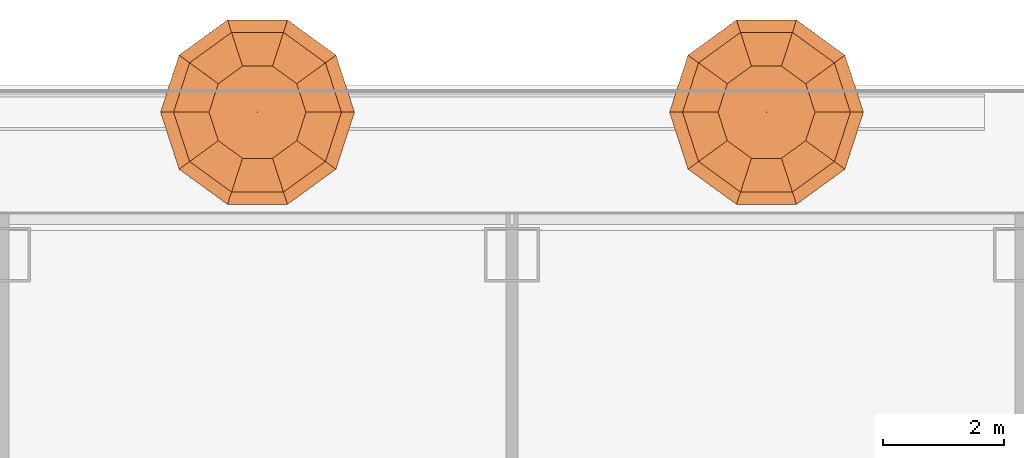
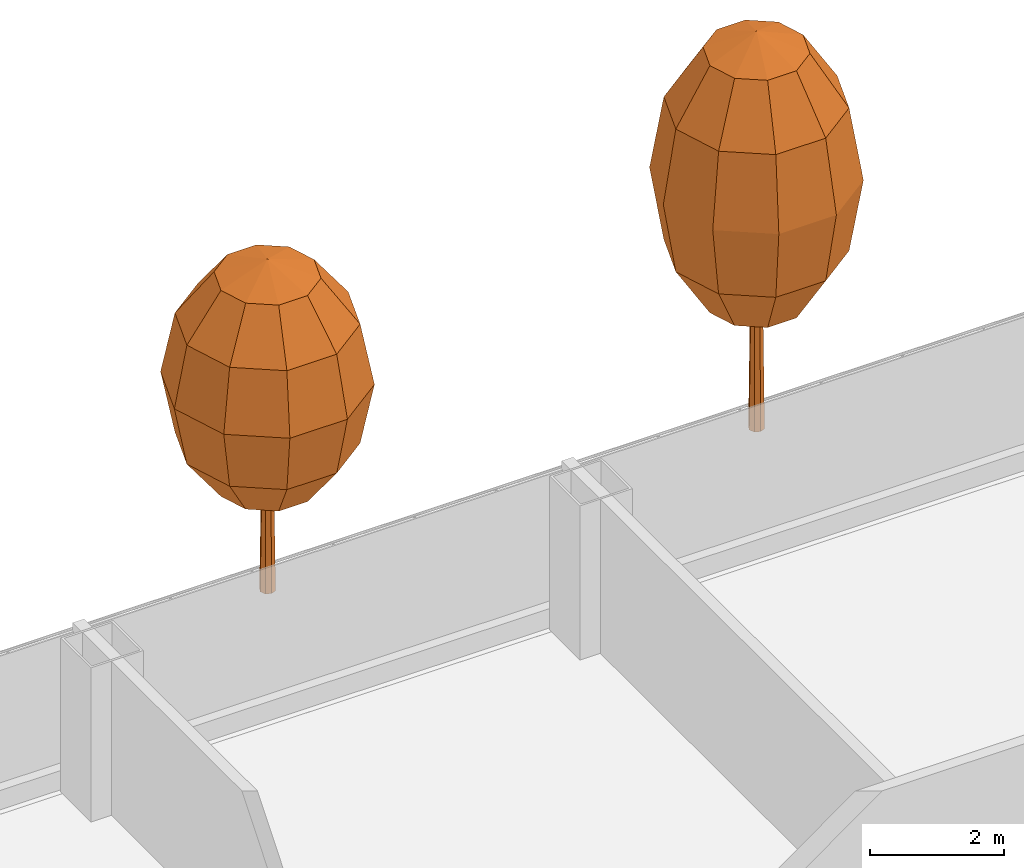
# One storey, part 37 of 37: 2 geographic elements.
"""IFC4 building model written with IfcOpenShell, lengths in metres."""

from ifc_helpers import new_model, si_unit, direction, frame, origin, place, context, subcontext, project, spatial, triangles, material, type_object, element, save


model = new_model("IFC4")

# Units and contexts
model_context = context("Model", 3, precision=1e-05, world=origin(), true_north=direction((0.0, 1.0)))
body_context = subcontext(model_context, "Body", "Model", "MODEL_VIEW")
ifc_project = project(units=[si_unit("LENGTHUNIT", "METRE"), si_unit("AREAUNIT", "SQUARE_METRE"), si_unit("VOLUMEUNIT", "CUBIC_METRE"), si_unit("PLANEANGLEUNIT", "RADIAN"), si_unit("MASSUNIT", "GRAM", prefix="KILO")], contexts=[model_context])

# Site, building, storey
site_placement = place(None, origin())
site = spatial("IfcSite", under=ifc_project, at=site_placement, CompositionType="ELEMENT")
building_placement = place(site_placement, origin())
building = spatial("IfcBuilding", under=site, at=building_placement, Name="Hakoniwa Tower and Hamabe Station Hall", CompositionType="ELEMENT")
storey_placement = place(building_placement, frame((0.0, 0.0, 39.0)))
storey = spatial("IfcBuildingStorey", under=building, at=storey_placement, Name="L10", CompositionType="ELEMENT", Elevation=39.0)

# Geographic elements
ifc_material_1 = material(Name="Tree foliage")
geographic_element_type_1 = type_object("IfcGeographicElementType", Name="Japanese maple 7.2 m", PredefinedType="USERDEFINED", material=ifc_material_1)
geographic_element_1_placement = place(storey_placement, frame((37.800048828125, 21.949951171875, 0.89990234375)))
element("IfcGeographicElement", 1, at=geographic_element_1_placement, inside=storey, type_object=geographic_element_type_1, Name="Japanese maple 7-2 m", ObjectType="TREE", PredefinedType="USERDEFINED", context=body_context, shape_type="Tessellation", body=[
    triangles([(0.125, 0.0, 0.0), (0.08837890625, 0.08837890625, 0.0), (0.0, 0.125, 0.0), (-0.08837890625, 0.08837890625, 0.0), (-0.125, 0.0, 0.0), (-0.08837890625, -0.08837890625, 0.0), (0.0, -0.125, 0.0), (0.08837890625, -0.08837890625, 0.0), (0.074951171875, 0.0, 4.348876953125), (0.052978515625, 0.052978515625, 4.348876953125), (0.0, 0.074951171875, 4.348876953125), (-0.052978515625, 0.052978515625, 4.348876953125), (-0.074951171875, 0.0, 4.348876953125), (-0.052978515625, -0.052978515625, 4.348876953125), (0.0, -0.074951171875, 4.348876953125), (0.052978515625, -0.052978515625, 4.348876953125), (0.0, 0.0, 0.0), (0.0, 0.0, 4.348876953125)], [[1, 2, 10], [1, 10, 9], [17, 2, 1], [18, 9, 10], [2, 3, 11], [2, 11, 10], [17, 3, 2], [18, 10, 11], [3, 4, 12], [3, 12, 11], [17, 4, 3], [18, 11, 12], [4, 5, 13], [4, 13, 12], [17, 5, 4], [18, 12, 13], [5, 6, 14], [5, 14, 13], [17, 6, 5], [18, 13, 14], [6, 7, 15], [6, 15, 14], [17, 7, 6], [18, 14, 15], [7, 8, 16], [7, 16, 15], [17, 8, 7], [18, 15, 16], [8, 1, 9], [8, 9, 16], [17, 1, 8], [18, 16, 9]], closed=True),
    triangles([(0.0, 0.0, 2.015869140625), (0.800048828125, 0.0, 2.36328125), (0.647216796875, 0.47021484375, 2.36328125), (0.247314453125, 0.7607421875, 2.36328125), (-0.247314453125, 0.7607421875, 2.36328125), (-0.647216796875, 0.47021484375, 2.36328125), (-0.800048828125, 0.0, 2.36328125), (-0.647216796875, -0.47021484375, 2.36328125), (-0.247314453125, -0.7607421875, 2.36328125), (0.247314453125, -0.7607421875, 2.36328125), (0.647216796875, -0.47021484375, 2.36328125), (1.385498046875, 0.0, 3.31201171875), (1.12109375, 0.814453125, 3.31201171875), (0.42822265625, 1.31787109375, 3.31201171875), (-0.42822265625, 1.31787109375, 3.31201171875), (-1.12109375, 0.814453125, 3.31201171875), (-1.385498046875, 0.0, 3.31201171875), (-1.12109375, -0.814453125, 3.31201171875), (-0.42822265625, -1.31787109375, 3.31201171875), (0.42822265625, -1.31787109375, 3.31201171875), (1.12109375, -0.814453125, 3.31201171875), (1.60009765625, 0.0, 4.60791015625), (1.29443359375, 0.9404296875, 4.60791015625), (0.494384765625, 1.521728515625, 4.60791015625), (-0.494384765625, 1.521728515625, 4.60791015625), (-1.29443359375, 0.9404296875, 4.60791015625), (-1.60009765625, 0.0, 4.60791015625), (-1.29443359375, -0.9404296875, 4.60791015625), (-0.494384765625, -1.521728515625, 4.60791015625), (0.494384765625, -1.521728515625, 4.60791015625), (1.29443359375, -0.9404296875, 4.60791015625), (1.385498046875, 0.0, 5.904052734375), (1.12109375, 0.814453125, 5.904052734375), (0.42822265625, 1.31787109375, 5.904052734375), (-0.42822265625, 1.31787109375, 5.904052734375), (-1.12109375, 0.814453125, 5.904052734375), (-1.385498046875, 0.0, 5.904052734375), (-1.12109375, -0.814453125, 5.904052734375), (-0.42822265625, -1.31787109375, 5.904052734375), (0.42822265625, -1.31787109375, 5.904052734375), (1.12109375, -0.814453125, 5.904052734375), (0.800048828125, 0.0, 6.852783203125), (0.647216796875, 0.47021484375, 6.852783203125), (0.247314453125, 0.7607421875, 6.852783203125), (-0.247314453125, 0.7607421875, 6.852783203125), (-0.647216796875, 0.47021484375, 6.852783203125), (-0.800048828125, 0.0, 6.852783203125), (-0.647216796875, -0.47021484375, 6.852783203125), (-0.247314453125, -0.7607421875, 6.852783203125), (0.247314453125, -0.7607421875, 6.852783203125), (0.647216796875, -0.47021484375, 6.852783203125), (0.0, 0.0, 7.199951171875)], [[1, 3, 2], [1, 4, 3], [1, 5, 4], [1, 6, 5], [1, 7, 6], [1, 8, 7], [1, 9, 8], [1, 10, 9], [1, 11, 10], [1, 2, 11], [2, 3, 13], [2, 13, 12], [3, 4, 14], [3, 14, 13], [4, 5, 15], [4, 15, 14], [5, 6, 16], [5, 16, 15], [6, 7, 17], [6, 17, 16], [7, 8, 18], [7, 18, 17], [8, 9, 19], [8, 19, 18], [9, 10, 20], [9, 20, 19], [10, 11, 21], [10, 21, 20], [11, 2, 12], [11, 12, 21], [12, 13, 23], [12, 23, 22], [13, 14, 24], [13, 24, 23], [14, 15, 25], [14, 25, 24], [15, 16, 26], [15, 26, 25], [16, 17, 27], [16, 27, 26], [17, 18, 28], [17, 28, 27], [18, 19, 29], [18, 29, 28], [19, 20, 30], [19, 30, 29], [20, 21, 31], [20, 31, 30], [21, 12, 22], [21, 22, 31], [22, 23, 33], [22, 33, 32], [23, 24, 34], [23, 34, 33], [24, 25, 35], [24, 35, 34], [25, 26, 36], [25, 36, 35], [26, 27, 37], [26, 37, 36], [27, 28, 38], [27, 38, 37], [28, 29, 39], [28, 39, 38], [29, 30, 40], [29, 40, 39], [30, 31, 41], [30, 41, 40], [31, 22, 32], [31, 32, 41], [32, 33, 43], [32, 43, 42], [33, 34, 44], [33, 44, 43], [34, 35, 45], [34, 45, 44], [35, 36, 46], [35, 46, 45], [36, 37, 47], [36, 47, 46], [37, 38, 48], [37, 48, 47], [38, 39, 49], [38, 49, 48], [39, 40, 50], [39, 50, 49], [40, 41, 51], [40, 51, 50], [41, 32, 42], [41, 42, 51], [52, 42, 43], [52, 43, 44], [52, 44, 45], [52, 45, 46], [52, 46, 47], [52, 47, 48], [52, 48, 49], [52, 49, 50], [52, 50, 51], [52, 51, 42]], closed=True),
])
ifc_material_2 = material(Name="Tree foliage")
geographic_element_type_2 = type_object("IfcGeographicElementType", Name="Osmanthus 6.0 m", PredefinedType="USERDEFINED", material=ifc_material_2)
geographic_element_2_placement = place(storey_placement, frame((29.39990234375, 21.949951171875, 0.89990234375)))
element("IfcGeographicElement", 2, at=geographic_element_2_placement, inside=storey, type_object=geographic_element_type_2, Name="Osmanthus 6-0 m", ObjectType="TREE", PredefinedType="USERDEFINED", context=body_context, shape_type="Tessellation", body=[
    triangles([(0.125, 0.0, 0.0), (0.08837890625, 0.08837890625, 0.0), (0.0, 0.125, 0.0), (-0.08837890625, 0.08837890625, 0.0), (-0.125, 0.0, 0.0), (-0.08837890625, -0.08837890625, 0.0), (0.0, -0.125, 0.0), (0.08837890625, -0.08837890625, 0.0), (0.074951171875, 0.0, 3.6240234375), (0.052978515625, 0.052978515625, 3.6240234375), (0.0, 0.074951171875, 3.6240234375), (-0.052978515625, 0.052978515625, 3.6240234375), (-0.074951171875, 0.0, 3.6240234375), (-0.052978515625, -0.052978515625, 3.6240234375), (0.0, -0.074951171875, 3.6240234375), (0.052978515625, -0.052978515625, 3.6240234375), (0.0, 0.0, 0.0), (0.0, 0.0, 3.6240234375)], [[1, 2, 10], [1, 10, 9], [17, 2, 1], [18, 9, 10], [2, 3, 11], [2, 11, 10], [17, 3, 2], [18, 10, 11], [3, 4, 12], [3, 12, 11], [17, 4, 3], [18, 11, 12], [4, 5, 13], [4, 13, 12], [17, 5, 4], [18, 12, 13], [5, 6, 14], [5, 14, 13], [17, 6, 5], [18, 13, 14], [6, 7, 15], [6, 15, 14], [17, 7, 6], [18, 14, 15], [7, 8, 16], [7, 16, 15], [17, 8, 7], [18, 15, 16], [8, 1, 9], [8, 9, 16], [17, 1, 8], [18, 16, 9]], closed=True),
    triangles([(0.0, 0.0, 1.679931640625), (0.800048828125, 0.0, 1.969482421875), (0.647216796875, 0.47021484375, 1.969482421875), (0.247314453125, 0.7607421875, 1.969482421875), (-0.247314453125, 0.7607421875, 1.969482421875), (-0.647216796875, 0.47021484375, 1.969482421875), (-0.800048828125, 0.0, 1.969482421875), (-0.647216796875, -0.47021484375, 1.969482421875), (-0.247314453125, -0.7607421875, 1.969482421875), (0.247314453125, -0.7607421875, 1.969482421875), (0.647216796875, -0.47021484375, 1.969482421875), (1.385498046875, 0.0, 2.760009765625), (1.12109375, 0.814453125, 2.760009765625), (0.42822265625, 1.31787109375, 2.760009765625), (-0.42822265625, 1.31787109375, 2.760009765625), (-1.12109375, 0.814453125, 2.760009765625), (-1.385498046875, 0.0, 2.760009765625), (-1.12109375, -0.814453125, 2.760009765625), (-0.42822265625, -1.31787109375, 2.760009765625), (0.42822265625, -1.31787109375, 2.760009765625), (1.12109375, -0.814453125, 2.760009765625), (1.60009765625, 0.0, 3.840087890625), (1.29443359375, 0.9404296875, 3.840087890625), (0.494384765625, 1.521728515625, 3.840087890625), (-0.494384765625, 1.521728515625, 3.840087890625), (-1.29443359375, 0.9404296875, 3.840087890625), (-1.60009765625, 0.0, 3.840087890625), (-1.29443359375, -0.9404296875, 3.840087890625), (-0.494384765625, -1.521728515625, 3.840087890625), (0.494384765625, -1.521728515625, 3.840087890625), (1.29443359375, -0.9404296875, 3.840087890625), (1.385498046875, 0.0, 4.919921875), (1.12109375, 0.814453125, 4.919921875), (0.42822265625, 1.31787109375, 4.919921875), (-0.42822265625, 1.31787109375, 4.919921875), (-1.12109375, 0.814453125, 4.919921875), (-1.385498046875, 0.0, 4.919921875), (-1.12109375, -0.814453125, 4.919921875), (-0.42822265625, -1.31787109375, 4.919921875), (0.42822265625, -1.31787109375, 4.919921875), (1.12109375, -0.814453125, 4.919921875), (0.800048828125, 0.0, 5.710693359375), (0.647216796875, 0.47021484375, 5.710693359375), (0.247314453125, 0.7607421875, 5.710693359375), (-0.247314453125, 0.7607421875, 5.710693359375), (-0.647216796875, 0.47021484375, 5.710693359375), (-0.800048828125, 0.0, 5.710693359375), (-0.647216796875, -0.47021484375, 5.710693359375), (-0.247314453125, -0.7607421875, 5.710693359375), (0.247314453125, -0.7607421875, 5.710693359375), (0.647216796875, -0.47021484375, 5.710693359375), (0.0, 0.0, 6.0)], [[1, 3, 2], [1, 4, 3], [1, 5, 4], [1, 6, 5], [1, 7, 6], [1, 8, 7], [1, 9, 8], [1, 10, 9], [1, 11, 10], [1, 2, 11], [2, 3, 13], [2, 13, 12], [3, 4, 14], [3, 14, 13], [4, 5, 15], [4, 15, 14], [5, 6, 16], [5, 16, 15], [6, 7, 17], [6, 17, 16], [7, 8, 18], [7, 18, 17], [8, 9, 19], [8, 19, 18], [9, 10, 20], [9, 20, 19], [10, 11, 21], [10, 21, 20], [11, 2, 12], [11, 12, 21], [12, 13, 23], [12, 23, 22], [13, 14, 24], [13, 24, 23], [14, 15, 25], [14, 25, 24], [15, 16, 26], [15, 26, 25], [16, 17, 27], [16, 27, 26], [17, 18, 28], [17, 28, 27], [18, 19, 29], [18, 29, 28], [19, 20, 30], [19, 30, 29], [20, 21, 31], [20, 31, 30], [21, 12, 22], [21, 22, 31], [22, 23, 33], [22, 33, 32], [23, 24, 34], [23, 34, 33], [24, 25, 35], [24, 35, 34], [25, 26, 36], [25, 36, 35], [26, 27, 37], [26, 37, 36], [27, 28, 38], [27, 38, 37], [28, 29, 39], [28, 39, 38], [29, 30, 40], [29, 40, 39], [30, 31, 41], [30, 41, 40], [31, 22, 32], [31, 32, 41], [32, 33, 43], [32, 43, 42], [33, 34, 44], [33, 44, 43], [34, 35, 45], [34, 45, 44], [35, 36, 46], [35, 46, 45], [36, 37, 47], [36, 47, 46], [37, 38, 48], [37, 48, 47], [38, 39, 49], [38, 49, 48], [39, 40, 50], [39, 50, 49], [40, 41, 51], [40, 51, 50], [41, 32, 42], [41, 42, 51], [52, 42, 43], [52, 43, 44], [52, 44, 45], [52, 45, 46], [52, 46, 47], [52, 47, 48], [52, 48, 49], [52, 49, 50], [52, 50, 51], [52, 51, 42]], closed=True),
])

save(model, "model.ifc")
